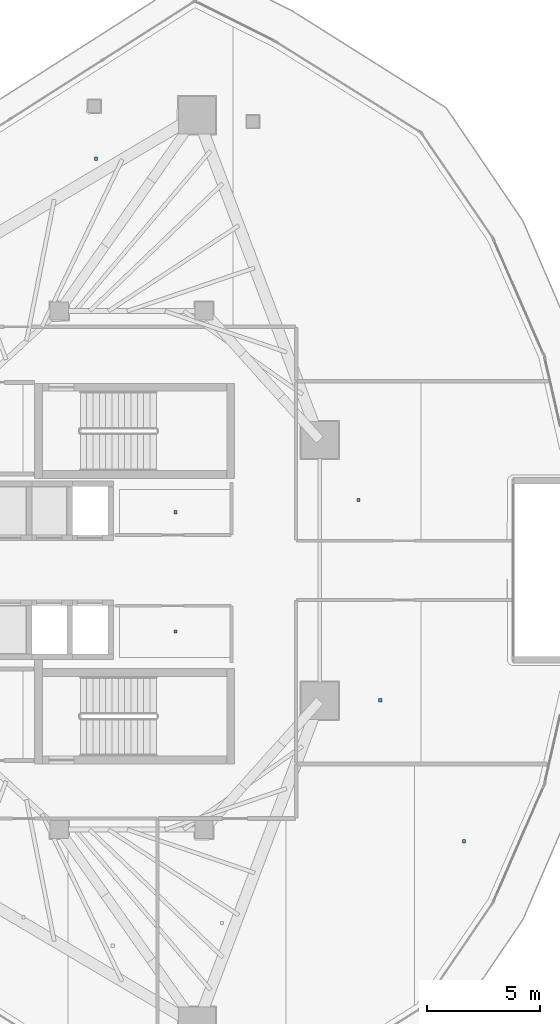
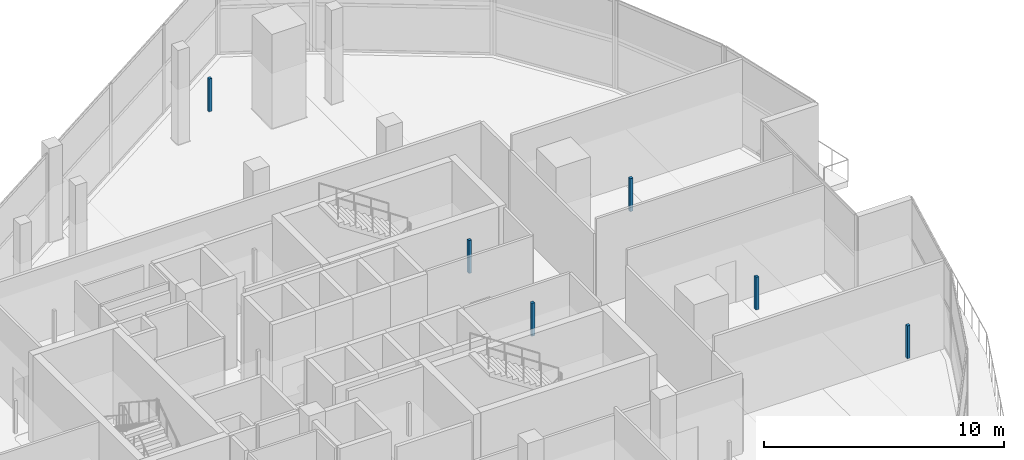
# One storey, part 29 of 36: 6 discrete accessories.
"""IFC4 building model written with IfcOpenShell, lengths in metres."""

from ifc_helpers import new_model, si_unit, direction, frame, origin, origin_2d, place, context, subcontext, project, spatial, rectangle, extrude, material, type_object, element, save


model = new_model("IFC4")

# Units and contexts
model_context = context("Model", 3, precision=1e-05, world=origin(), true_north=direction((0.0, 1.0)))
body_context = subcontext(model_context, "Body", "Model", "MODEL_VIEW")
ifc_project = project(units=[si_unit("LENGTHUNIT", "METRE"), si_unit("AREAUNIT", "SQUARE_METRE"), si_unit("VOLUMEUNIT", "CUBIC_METRE"), si_unit("PLANEANGLEUNIT", "RADIAN"), si_unit("MASSUNIT", "GRAM", prefix="KILO")], contexts=[model_context])

# Site, building, storey
site_placement = place(None, origin())
site = spatial("IfcSite", under=ifc_project, at=site_placement, CompositionType="ELEMENT")
building_placement = place(site_placement, origin())
building = spatial("IfcBuilding", under=site, at=building_placement, Name="Qorvath Tower", CompositionType="ELEMENT")
storey_placement = place(building_placement, frame((0.0, 0.0, 255.0)))
storey = spatial("IfcBuildingStorey", under=building, at=storey_placement, Name="L59", CompositionType="ELEMENT", Elevation=255.0)

# Discrete accessories
ifc_material = material(Name="Galvanised steel bracket", Category="steel")
discrete_accessory_type = type_object("IfcDiscreteAccessoryType", Name="DA-BRACKET", PredefinedType="BRACKET", material=ifc_material)
for number, where, z_axis, x_axis, name in (
    (1, (-18.472412109375, 2.5625, 2.85986328125), (0.0, 0.0, 1.0), (1.0, 0.0, 0.0), "Acoustic Ceiling Suspension Hanger T1-L59-003"),
    (2, (-18.472412109375, -2.70751953125, 2.85986328125), (0.0, 0.0, 1.0), (1.0, 0.0, 0.0), "Acoustic Ceiling Suspension Hanger T1-L59-004"),
    (3, (-21.9833984375, 18.176513671875, 2.85986328125), (0.0, 0.0, 1.0), (1.0, 0.0, 0.0), "Acoustic Ceiling Suspension Hanger T1-L59-015"),
    (4, (-5.724853515625, -11.96435546875, 2.85986328125), (0.0, 0.0, 1.0), (1.0, 0.0, 0.0), "Acoustic Ceiling Suspension Hanger T1-L59-024"),
    (5, (-9.4248046875, -5.736572265625, 2.85986328125), (0.0, 0.0, 1.0), (1.0, 0.0, 0.0), "Acoustic Ceiling Suspension Hanger T1-L59-025"),
    (6, (-10.379638671875, 3.101806640625, 2.85986328125), (0.0, 0.0, 1.0), (1.0, 0.0, 0.0), "Acoustic Ceiling Suspension Hanger T1-L59-027"),
):
    element("IfcDiscreteAccessory", number, at=place(storey_placement, frame(where, z_axis=z_axis, x_axis=x_axis)), inside=storey, type_object=discrete_accessory_type, Name=name, PredefinedType="NOTDEFINED", context=body_context, shape_type="SweptSolid", body=[
        extrude(rectangle(XDim=0.139892578125, YDim=0.139892578125, at=origin_2d()), origin(), (0.0, 0.0, 1.0), 1.679931640625),
    ])

save(model, "model.ifc")
